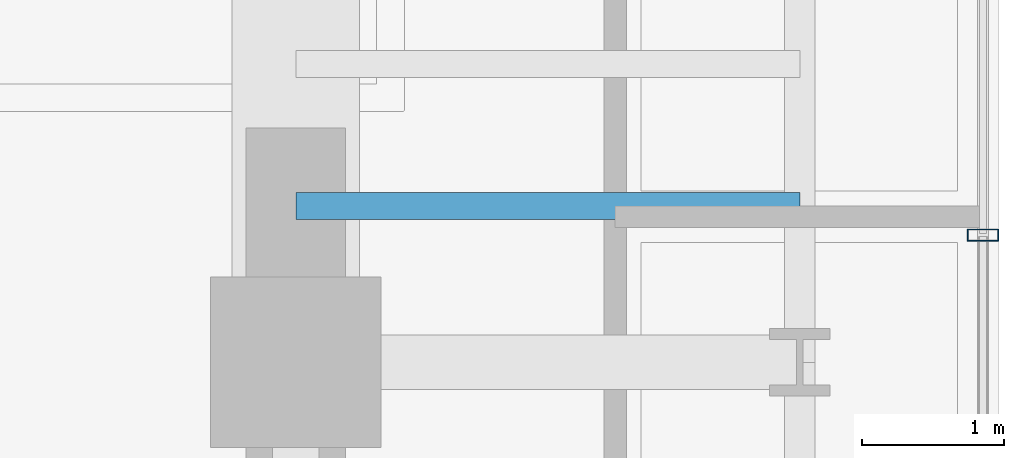
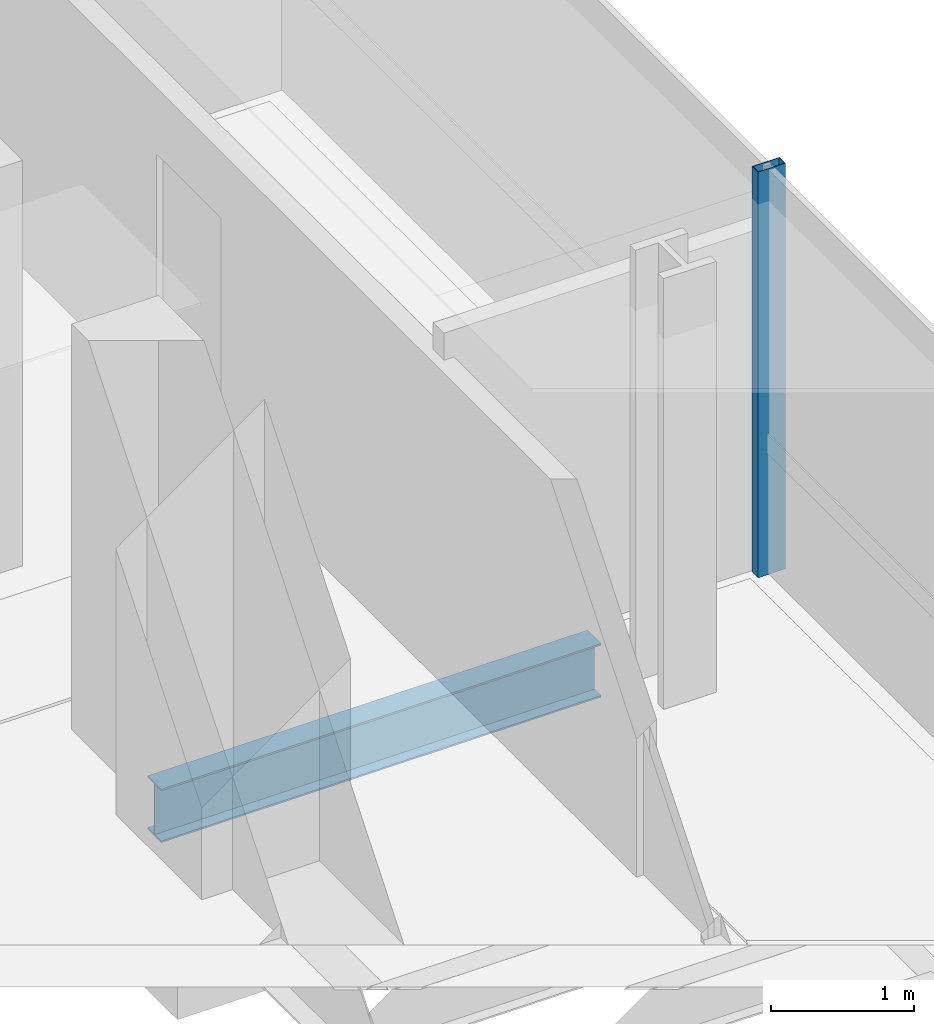
# One storey, part 13 of 35: 1 beam, 1 member, 1 element without a shape of its own.
"""IFC4 building model written with IfcOpenShell, lengths in metres."""

import ifcopenshell
import ifcopenshell.guid

model = None  # the IFC model being written
_history = None  # IfcOwnerHistory: only IFC2X3 demands one
_inside = {}  # id of a spatial element -> (the spatial element, [elements in it])
_under = {}  # id of a project, library or spatial element -> (it, [spatial elements below it])
_declared = {}  # id of a project -> (the project, [libraries it declares])
_typed = {}  # id of a type object -> (the type object, [elements of that type])
_made_of = {}  # id of a material, layer set ... -> (it, [elements and type objects made of it])


def new_model(schema):
    """Start an empty IFC model of exactly this schema.

    Asked for "IFC4X3", IfcOpenShell would pick the latest addendum, in which some entities
    have other attributes; the version numbers below select the first issue.
    IFC2X3 requires an IfcOwnerHistory on every rooted entity: one is made here for all.
    """
    global model, _history
    if schema == "IFC4X3":
        model = ifcopenshell.file(schema_version=(4, 3, 0, 0))
    else:
        model = ifcopenshell.file(schema=schema)
    _inside.clear()
    _under.clear()
    _declared.clear()
    _typed.clear()
    _made_of.clear()
    _history = None
    if model.schema == "IFC2X3":
        org = make("IfcOrganization", Name="unknown")
        user = make(
            "IfcPersonAndOrganization",
            ThePerson=make("IfcPerson", FamilyName="unknown"),
            TheOrganization=org,
        )
        app = make(
            "IfcApplication",
            ApplicationDeveloper=org,
            Version="unknown",
            ApplicationFullName="unknown",
            ApplicationIdentifier="unknown",
        )
        _history = make(
            "IfcOwnerHistory",
            OwningUser=user,
            OwningApplication=app,
            ChangeAction="ADDED",
            CreationDate=0,
        )
    return model


def make(cls, **values):
    """One entity of the class cls with the attributes given. An attribute that is None is left unset."""
    return model.create_entity(
        cls, **{name: value for name, value in values.items() if value is not None}
    )


def rooted(cls, **values):
    """An entity with a GlobalId (a new one), such as an element, a storey or a relation."""
    return make(cls, GlobalId=ifcopenshell.guid.new(), OwnerHistory=_history, **values)


def si_unit(unit_type, name, prefix=None):
    """IfcSIUnit, for example si_unit("LENGTHUNIT", "METRE", prefix="MILLI")."""
    return make("IfcSIUnit", UnitType=unit_type, Prefix=prefix, Name=name)


def assignment(units):
    """IfcUnitAssignment: the units of a project."""
    return None if units is None else make("IfcUnitAssignment", Units=units)


def point(xyz):
    """IfcCartesianPoint."""
    return None if xyz is None else make("IfcCartesianPoint", Coordinates=xyz)


def direction(xyz):
    """IfcDirection."""
    return None if xyz is None else make("IfcDirection", DirectionRatios=xyz)


def frame(location, z_axis=None, x_axis=None):
    """IfcAxis2Placement3D, a coordinate frame: its origin and axes. An axis left out is left unset."""
    return make(
        "IfcAxis2Placement3D",
        Location=point(location),
        Axis=direction(z_axis),
        RefDirection=direction(x_axis),
    )


def frame_2d(location, x_axis=None):
    """IfcAxis2Placement2D, a coordinate frame in the plane: its origin and x axis."""
    return make(
        "IfcAxis2Placement2D", Location=point(location), RefDirection=direction(x_axis)
    )


def origin():
    """The frame at (0, 0, 0) with its axes left unset."""
    return frame((0.0, 0.0, 0.0))


def origin_2d():
    """The frame at (0, 0) in the plane with its x axis left unset."""
    return frame_2d((0.0, 0.0))


def place(relative_to, where):
    """IfcLocalPlacement: puts the frame where relative to a parent placement (None: the world)."""
    return make(
        "IfcLocalPlacement", PlacementRelTo=relative_to, RelativePlacement=where
    )


def context(
    kind, dimensions, precision=None, world=None, true_north=None, identifier=None
):
    """IfcGeometricRepresentationContext, for example the 3D "Model" context."""
    return make(
        "IfcGeometricRepresentationContext",
        ContextIdentifier=identifier,
        ContextType=kind,
        CoordinateSpaceDimension=dimensions,
        Precision=precision,
        WorldCoordinateSystem=world,
        TrueNorth=true_north,
    )


def subcontext(parent, identifier, kind, view, scale=None):
    """IfcGeometricRepresentationSubContext, for example "Body" below "Model"."""
    return make(
        "IfcGeometricRepresentationSubContext",
        ContextIdentifier=identifier,
        ContextType=kind,
        ParentContext=parent,
        TargetScale=scale,
        TargetView=view,
    )


def project(units=None, contexts=None):
    """IfcProject with its units and contexts."""
    return rooted(
        "IfcProject",
        Name="project",
        RepresentationContexts=contexts,
        UnitsInContext=assignment(units),
    )


def spatial(cls, under=None, at=None, **own):
    """A site, building, storey or space (cls), placed at a placement, below another one or the project."""
    s = rooted(cls, ObjectPlacement=at, **own)
    if under is not None:
        _under.setdefault(under.id(), (under, []))[1].append(s)
    return s


def profile(cls, at=None, kind="AREA", **sizes):
    """A parametric profile (cls). Its sizes go by their IFC names, for example OverallWidth=200.0."""
    return make(cls, ProfileType=kind, Position=at, **sizes)


def hollow_rectangle(**sizes):
    """IfcRectangleHollowProfileDef."""
    return profile("IfcRectangleHollowProfileDef", **sizes)


def i_section(**sizes):
    """IfcIShapeProfileDef."""
    return profile("IfcIShapeProfileDef", **sizes)


def extrude(swept, where, along, depth):
    """IfcExtrudedAreaSolid: the profile swept, set in the frame where, extruded along a direction by depth."""
    return make(
        "IfcExtrudedAreaSolid",
        SweptArea=swept,
        Position=where,
        ExtrudedDirection=direction(along),
        Depth=depth,
    )


def shape(context_of_items, identifier, shape_type, items):
    """IfcShapeRepresentation: the items that make up one representation, for example the "Body"."""
    return make(
        "IfcShapeRepresentation",
        ContextOfItems=context_of_items,
        RepresentationIdentifier=identifier,
        RepresentationType=shape_type,
        Items=items,
    )


def source(mapping_origin, context_of_items, identifier, shape_type, items):
    """IfcRepresentationMap: a shape defined once, which mapped items show again and again."""
    return make(
        "IfcRepresentationMap",
        MappingOrigin=mapping_origin,
        MappedRepresentation=shape(context_of_items, identifier, shape_type, items),
    )


def transform(
    local_origin,
    x_axis=None,
    y_axis=None,
    z_axis=None,
    scale=None,
    scale2=None,
    scale3=None,
    uniform=True,
):
    """IfcCartesianTransformationOperator3D, or its non-uniform kind. x_axis, y_axis, z_axis: its Axis1, 2, 3."""
    if uniform:
        return make(
            "IfcCartesianTransformationOperator3D",
            Axis1=direction(x_axis),
            Axis2=direction(y_axis),
            LocalOrigin=point(local_origin),
            Scale=scale,
            Axis3=direction(z_axis),
        )
    return make(
        "IfcCartesianTransformationOperator3DnonUniform",
        Axis1=direction(x_axis),
        Axis2=direction(y_axis),
        LocalOrigin=point(local_origin),
        Scale=scale,
        Axis3=direction(z_axis),
        Scale2=scale2,
        Scale3=scale3,
    )


def mapped(mapping_source, mapping_target):
    """IfcMappedItem: shows the shape of a source again, moved by a transform."""
    return make(
        "IfcMappedItem", MappingSource=mapping_source, MappingTarget=mapping_target
    )


def material(Name=None, Category=None):
    """IfcMaterial."""
    return make("IfcMaterial", Name=Name, Category=Category)


def material_profile(
    of_material, cross_section, Name=None, Category=None, Priority=None
):
    """IfcMaterialProfile: a cross section and its material."""
    return make(
        "IfcMaterialProfile",
        Name=Name,
        Material=of_material,
        Profile=cross_section,
        Priority=Priority,
        Category=Category,
    )


def profile_set(profiles, Name=None, composite=None):
    """IfcMaterialProfileSet."""
    return make(
        "IfcMaterialProfileSet",
        Name=Name,
        MaterialProfiles=profiles,
        CompositeProfile=composite,
    )


def made_of(thing, what):
    """Note that an element or type object is made of a material, layer set ...; save() writes the relation."""
    if what is not None:
        _made_of.setdefault(what.id(), (what, []))[1].append(thing)
    return thing


def type_object(cls, material=None, **own):
    """A type object (cls), such as IfcWallType, which elements share."""
    return made_of(rooted(cls, **own), material)


def element(
    cls,
    number,
    at=None,
    inside=None,
    cuts=None,
    type_object=None,
    material=None,
    context=None,
    identifier="Body",
    shape_type=None,
    held_by="IfcProductDefinitionShape",
    body=None,
    shapes=None,
    **own,
):
    """One element of the class cls, such as IfcWall. Its Tag is "e" and its number.

    at: its placement. inside: the storey or other place that contains it. cuts: it is an
    opening in that element (IfcRelVoidsElement). A single representation is given by context,
    identifier, shape_type and body (its items); several are given by shapes. held_by: the class
    of the entity that holds the representations. save() writes the other relations.
    """
    e = rooted(cls, Tag="e%d" % number, ObjectPlacement=at, **own)
    if body is not None:
        shapes = [shape(context, identifier, shape_type, body)]
    if shapes is not None:
        e.Representation = make(held_by, Representations=shapes)
    if inside is not None:
        _inside.setdefault(inside.id(), (inside, []))[1].append(e)
    if cuts is not None:
        rooted(
            "IfcRelVoidsElement", RelatingBuildingElement=cuts, RelatedOpeningElement=e
        )
    if type_object is not None:
        _typed.setdefault(type_object.id(), (type_object, []))[1].append(e)
    return made_of(e, material)


def aggregate(whole, parts):
    """IfcRelAggregates: a whole, such as a stair, and the parts it consists of."""
    return rooted("IfcRelAggregates", RelatingObject=whole, RelatedObjects=parts)


def save(model, path):
    """Write the relations noted so far, then the file.

    IfcRelAggregates (storeys below a building ...), IfcRelContainedInSpatialStructure (elements
    in a storey), IfcRelDefinesByType, IfcRelAssociatesMaterial and IfcRelDeclares: one each for
    every whole, place, type object, material and project.
    """
    for whole, parts in _under.values():
        aggregate(whole, parts)
    for where, things in _inside.values():
        rooted(
            "IfcRelContainedInSpatialStructure",
            RelatedElements=things,
            RelatingStructure=where,
        )
    for kind, things in _typed.values():
        rooted("IfcRelDefinesByType", RelatedObjects=things, RelatingType=kind)
    for what, things in _made_of.values():
        rooted("IfcRelAssociatesMaterial", RelatedObjects=things, RelatingMaterial=what)
    for by, libraries in _declared.values():
        rooted("IfcRelDeclares", RelatingContext=by, RelatedDefinitions=libraries)
    model.write(path)


model = new_model("IFC4")

# Units and contexts
model_context = context("Model", 3, precision=1e-05, world=origin(), true_north=direction((0.0, 1.0)))
body_context = subcontext(model_context, "Body", "Model", "MODEL_VIEW")
ifc_project = project(units=[si_unit("LENGTHUNIT", "METRE"), si_unit("AREAUNIT", "SQUARE_METRE"), si_unit("VOLUMEUNIT", "CUBIC_METRE"), si_unit("PLANEANGLEUNIT", "RADIAN"), si_unit("MASSUNIT", "GRAM", prefix="KILO")], contexts=[model_context])

# Site, building, storey
site_placement = place(None, origin())
site = spatial("IfcSite", under=ifc_project, at=site_placement, CompositionType="ELEMENT")
building_placement = place(site_placement, origin())
building = spatial("IfcBuilding", under=site, at=building_placement, Name="Valdorenza Pilgrim Sanctuary Tower", CompositionType="ELEMENT")
storey_placement = place(building_placement, frame((0.0, 0.0, 116.800048828125)))
storey = spatial("IfcBuildingStorey", under=building, at=storey_placement, Name="L29", CompositionType="ELEMENT", Elevation=116.800048828125)

# Beam
ifc_material_1 = material(Name="Steel ASTM A992 Grade 50", Category="steel")
ifc_material_profile_1 = material_profile(ifc_material_1, i_section(OverallWidth=0.19091796875, OverallDepth=0.45703125, WebThickness=0.009033203125, FlangeThickness=0.014404296875, at=origin_2d()), Name="W18X50")
ifc_profile_set_1 = profile_set([ifc_material_profile_1], Name="Steel ASTM A992 Grade 50")
beam_type = type_object("IfcBeamType", Name="STR-BM-JST-W18B", PredefinedType="JOIST", material=ifc_profile_set_1)
shared_shape_1 = source(origin(), body_context, "Body", "SweptSolid", [
    extrude(i_section(OverallWidth=0.19091796875, OverallDepth=0.45703125, WebThickness=0.009033203125, FlangeThickness=0.014404296875, at=origin_2d()), origin(), (0.0, 0.0, 1.0), 3.5498046875),
])
beam_placement = place(storey_placement, frame((24.85009765625, -1.5, -0.468505859375), z_axis=(1.0, 0.0, 0.0), x_axis=(0.0, 1.0, 0.0)))
element("IfcBeam", 1, at=beam_placement, inside=storey, type_object=beam_type, Name="L29 Composite Floor Joist JST-WB-8", PredefinedType="JOIST", context=body_context, shape_type="MappedRepresentation", body=[
    mapped(shared_shape_1, transform((0.0, 0.0, 0.0), x_axis=(1.0, 0.0, 0.0), y_axis=(0.0, 1.0, 0.0), z_axis=(0.0, 0.0, 1.0), scale=1.0)),
])

# Curtain wall, member
ifc_material_2 = material(Name="Curtain-wall IGU glazing", Category="glass")
curtain_wall_type = type_object("IfcCurtainWallType", Name="CW-SYS-03", PredefinedType="NOTDEFINED", material=ifc_material_2)
curtain_wall_placement = place(storey_placement, origin())
curtain_wall = element("IfcCurtainWall", 2, at=curtain_wall_placement, inside=storey, type_object=curtain_wall_type, Name="L29 Curtain Wall CW-L29-1-21", PredefinedType="NOTDEFINED")
ifc_material_3 = material(Name="Anodised aluminium AW-6060", Category="aluminium")
ifc_material_profile_2 = material_profile(ifc_material_3, hollow_rectangle(XDim=0.0849609375, YDim=0.219970703125, WallThickness=0.0048828125, at=origin_2d()), Name="ALU-M 220x85x5")
ifc_profile_set_2 = profile_set([ifc_material_profile_2], Name="Anodised aluminium AW-6060")
member_type = type_object("IfcMemberType", Name="CW-MUL-03", PredefinedType="MULLION", material=ifc_profile_set_2)
shared_shape_2 = source(origin(), body_context, "Body", "SweptSolid", [
    extrude(hollow_rectangle(XDim=0.0849609375, YDim=0.219970703125, WallThickness=0.0048828125, at=origin_2d()), origin(), (0.0, 0.0, 1.0), 3.4599609375),
])
member_placement = place(storey_placement, frame((29.68994140625, -1.7041015625, 0.0), z_axis=(0.0, 0.0, 1.0), x_axis=(0.0, -1.0, 0.0)))
member = element("IfcMember", 3, at=member_placement, type_object=member_type, Name="CW-L29-1-21 Mullion 3", PredefinedType="MULLION", context=body_context, shape_type="MappedRepresentation", body=[
    mapped(shared_shape_2, transform((0.0, 0.0, 0.0), x_axis=(1.0, 0.0, 0.0), y_axis=(0.0, 1.0, 0.0), z_axis=(0.0, 0.0, 1.0), scale=1.0)),
])
aggregate(curtain_wall, [member])

save(model, "model.ifc")
